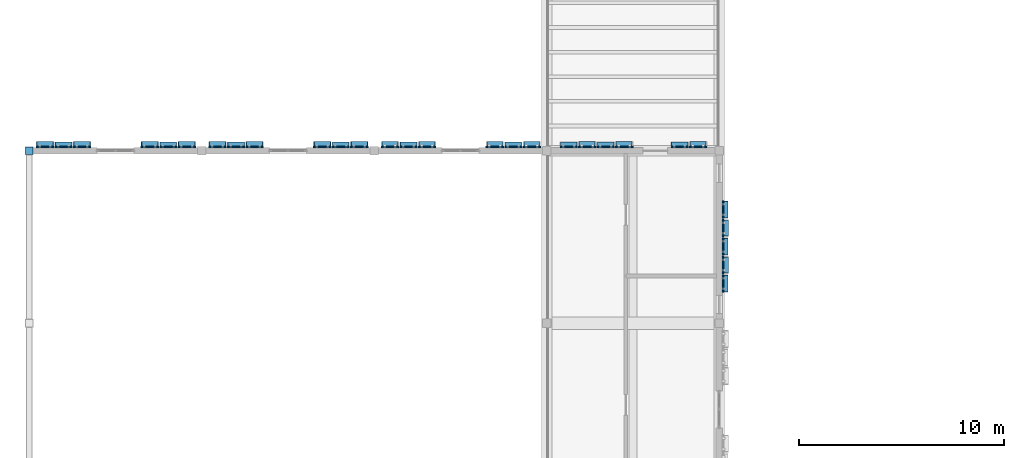
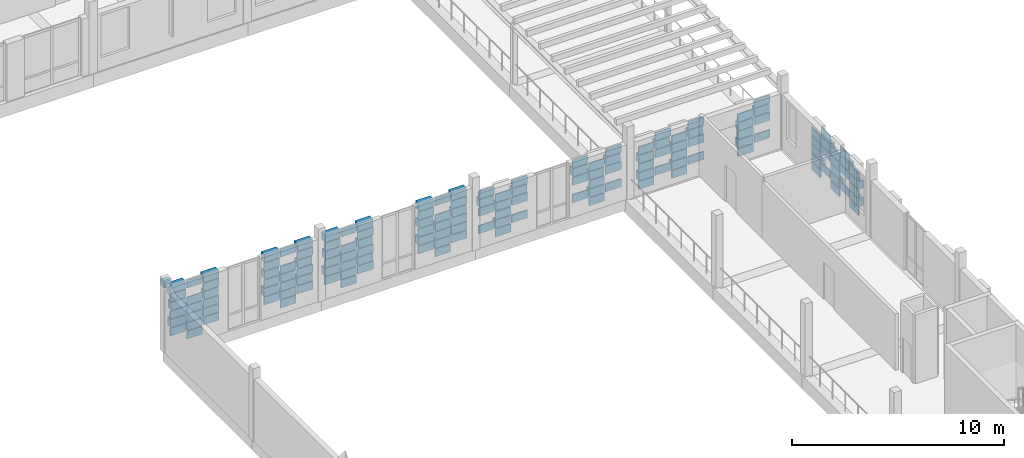
# One storey, part 62 of 99: 149 plates.
"""IFC4 building model written with IfcOpenShell, lengths in metres."""

import ifcopenshell
import ifcopenshell.guid

model = None  # the IFC model being written
_history = None  # IfcOwnerHistory: only IFC2X3 demands one
_inside = {}  # id of a spatial element -> (the spatial element, [elements in it])
_under = {}  # id of a project, library or spatial element -> (it, [spatial elements below it])
_declared = {}  # id of a project -> (the project, [libraries it declares])
_typed = {}  # id of a type object -> (the type object, [elements of that type])
_made_of = {}  # id of a material, layer set ... -> (it, [elements and type objects made of it])


def new_model(schema):
    """Start an empty IFC model of exactly this schema.

    Asked for "IFC4X3", IfcOpenShell would pick the latest addendum, in which some entities
    have other attributes; the version numbers below select the first issue.
    IFC2X3 requires an IfcOwnerHistory on every rooted entity: one is made here for all.
    """
    global model, _history
    if schema == "IFC4X3":
        model = ifcopenshell.file(schema_version=(4, 3, 0, 0))
    else:
        model = ifcopenshell.file(schema=schema)
    _inside.clear()
    _under.clear()
    _declared.clear()
    _typed.clear()
    _made_of.clear()
    _history = None
    if model.schema == "IFC2X3":
        org = make("IfcOrganization", Name="unknown")
        user = make(
            "IfcPersonAndOrganization",
            ThePerson=make("IfcPerson", FamilyName="unknown"),
            TheOrganization=org,
        )
        app = make(
            "IfcApplication",
            ApplicationDeveloper=org,
            Version="unknown",
            ApplicationFullName="unknown",
            ApplicationIdentifier="unknown",
        )
        _history = make(
            "IfcOwnerHistory",
            OwningUser=user,
            OwningApplication=app,
            ChangeAction="ADDED",
            CreationDate=0,
        )
    return model


def make(cls, **values):
    """One entity of the class cls with the attributes given. An attribute that is None is left unset."""
    return model.create_entity(
        cls, **{name: value for name, value in values.items() if value is not None}
    )


def rooted(cls, **values):
    """An entity with a GlobalId (a new one), such as an element, a storey or a relation."""
    return make(cls, GlobalId=ifcopenshell.guid.new(), OwnerHistory=_history, **values)


def si_unit(unit_type, name, prefix=None):
    """IfcSIUnit, for example si_unit("LENGTHUNIT", "METRE", prefix="MILLI")."""
    return make("IfcSIUnit", UnitType=unit_type, Prefix=prefix, Name=name)


def assignment(units):
    """IfcUnitAssignment: the units of a project."""
    return None if units is None else make("IfcUnitAssignment", Units=units)


def point(xyz):
    """IfcCartesianPoint."""
    return None if xyz is None else make("IfcCartesianPoint", Coordinates=xyz)


def direction(xyz):
    """IfcDirection."""
    return None if xyz is None else make("IfcDirection", DirectionRatios=xyz)


def frame(location, z_axis=None, x_axis=None):
    """IfcAxis2Placement3D, a coordinate frame: its origin and axes. An axis left out is left unset."""
    return make(
        "IfcAxis2Placement3D",
        Location=point(location),
        Axis=direction(z_axis),
        RefDirection=direction(x_axis),
    )


def frame_2d(location, x_axis=None):
    """IfcAxis2Placement2D, a coordinate frame in the plane: its origin and x axis."""
    return make(
        "IfcAxis2Placement2D", Location=point(location), RefDirection=direction(x_axis)
    )


def origin():
    """The frame at (0, 0, 0) with its axes left unset."""
    return frame((0.0, 0.0, 0.0))


def origin_2d():
    """The frame at (0, 0) in the plane with its x axis left unset."""
    return frame_2d((0.0, 0.0))


def place(relative_to, where):
    """IfcLocalPlacement: puts the frame where relative to a parent placement (None: the world)."""
    return make(
        "IfcLocalPlacement", PlacementRelTo=relative_to, RelativePlacement=where
    )


def context(
    kind, dimensions, precision=None, world=None, true_north=None, identifier=None
):
    """IfcGeometricRepresentationContext, for example the 3D "Model" context."""
    return make(
        "IfcGeometricRepresentationContext",
        ContextIdentifier=identifier,
        ContextType=kind,
        CoordinateSpaceDimension=dimensions,
        Precision=precision,
        WorldCoordinateSystem=world,
        TrueNorth=true_north,
    )


def subcontext(parent, identifier, kind, view, scale=None):
    """IfcGeometricRepresentationSubContext, for example "Body" below "Model"."""
    return make(
        "IfcGeometricRepresentationSubContext",
        ContextIdentifier=identifier,
        ContextType=kind,
        ParentContext=parent,
        TargetScale=scale,
        TargetView=view,
    )


def project(units=None, contexts=None):
    """IfcProject with its units and contexts."""
    return rooted(
        "IfcProject",
        Name="project",
        RepresentationContexts=contexts,
        UnitsInContext=assignment(units),
    )


def spatial(cls, under=None, at=None, **own):
    """A site, building, storey or space (cls), placed at a placement, below another one or the project."""
    s = rooted(cls, ObjectPlacement=at, **own)
    if under is not None:
        _under.setdefault(under.id(), (under, []))[1].append(s)
    return s


def profile(cls, at=None, kind="AREA", **sizes):
    """A parametric profile (cls). Its sizes go by their IFC names, for example OverallWidth=200.0."""
    return make(cls, ProfileType=kind, Position=at, **sizes)


def rectangle(**sizes):
    """IfcRectangleProfileDef."""
    return profile("IfcRectangleProfileDef", **sizes)


def extrude(swept, where, along, depth):
    """IfcExtrudedAreaSolid: the profile swept, set in the frame where, extruded along a direction by depth."""
    return make(
        "IfcExtrudedAreaSolid",
        SweptArea=swept,
        Position=where,
        ExtrudedDirection=direction(along),
        Depth=depth,
    )


def shape(context_of_items, identifier, shape_type, items):
    """IfcShapeRepresentation: the items that make up one representation, for example the "Body"."""
    return make(
        "IfcShapeRepresentation",
        ContextOfItems=context_of_items,
        RepresentationIdentifier=identifier,
        RepresentationType=shape_type,
        Items=items,
    )


def material(Name=None, Category=None):
    """IfcMaterial."""
    return make("IfcMaterial", Name=Name, Category=Category)


def layer(
    of_material, thickness, ventilated=None, Name=None, Category=None, Priority=None
):
    """IfcMaterialLayer: one layer of a wall or slab, of a material (None: an air gap)."""
    return make(
        "IfcMaterialLayer",
        Material=of_material,
        LayerThickness=thickness,
        IsVentilated=ventilated,
        Name=Name,
        Category=Category,
        Priority=Priority,
    )


def layer_set(layers, Name=None):
    """IfcMaterialLayerSet."""
    return make("IfcMaterialLayerSet", MaterialLayers=layers, LayerSetName=Name)


def made_of(thing, what):
    """Note that an element or type object is made of a material, layer set ...; save() writes the relation."""
    if what is not None:
        _made_of.setdefault(what.id(), (what, []))[1].append(thing)
    return thing


def type_object(cls, material=None, **own):
    """A type object (cls), such as IfcWallType, which elements share."""
    return made_of(rooted(cls, **own), material)


def element(
    cls,
    number,
    at=None,
    inside=None,
    cuts=None,
    type_object=None,
    material=None,
    context=None,
    identifier="Body",
    shape_type=None,
    held_by="IfcProductDefinitionShape",
    body=None,
    shapes=None,
    **own,
):
    """One element of the class cls, such as IfcWall. Its Tag is "e" and its number.

    at: its placement. inside: the storey or other place that contains it. cuts: it is an
    opening in that element (IfcRelVoidsElement). A single representation is given by context,
    identifier, shape_type and body (its items); several are given by shapes. held_by: the class
    of the entity that holds the representations. save() writes the other relations.
    """
    e = rooted(cls, Tag="e%d" % number, ObjectPlacement=at, **own)
    if body is not None:
        shapes = [shape(context, identifier, shape_type, body)]
    if shapes is not None:
        e.Representation = make(held_by, Representations=shapes)
    if inside is not None:
        _inside.setdefault(inside.id(), (inside, []))[1].append(e)
    if cuts is not None:
        rooted(
            "IfcRelVoidsElement", RelatingBuildingElement=cuts, RelatedOpeningElement=e
        )
    if type_object is not None:
        _typed.setdefault(type_object.id(), (type_object, []))[1].append(e)
    return made_of(e, material)


def aggregate(whole, parts):
    """IfcRelAggregates: a whole, such as a stair, and the parts it consists of."""
    return rooted("IfcRelAggregates", RelatingObject=whole, RelatedObjects=parts)


def save(model, path):
    """Write the relations noted so far, then the file.

    IfcRelAggregates (storeys below a building ...), IfcRelContainedInSpatialStructure (elements
    in a storey), IfcRelDefinesByType, IfcRelAssociatesMaterial and IfcRelDeclares: one each for
    every whole, place, type object, material and project.
    """
    for whole, parts in _under.values():
        aggregate(whole, parts)
    for where, things in _inside.values():
        rooted(
            "IfcRelContainedInSpatialStructure",
            RelatedElements=things,
            RelatingStructure=where,
        )
    for kind, things in _typed.values():
        rooted("IfcRelDefinesByType", RelatedObjects=things, RelatingType=kind)
    for what, things in _made_of.values():
        rooted("IfcRelAssociatesMaterial", RelatedObjects=things, RelatingMaterial=what)
    for by, libraries in _declared.values():
        rooted("IfcRelDeclares", RelatingContext=by, RelatedDefinitions=libraries)
    model.write(path)


model = new_model("IFC4")

# Units and contexts
model_context = context("Model", 3, precision=1e-05, world=origin(), true_north=direction((0.0, 1.0)))
body_context = subcontext(model_context, "Body", "Model", "MODEL_VIEW")
ifc_project = project(units=[si_unit("LENGTHUNIT", "METRE"), si_unit("AREAUNIT", "SQUARE_METRE"), si_unit("VOLUMEUNIT", "CUBIC_METRE"), si_unit("PLANEANGLEUNIT", "RADIAN"), si_unit("MASSUNIT", "GRAM", prefix="KILO")], contexts=[model_context])

# Site, building, storey
site_placement = place(None, origin())
site = spatial("IfcSite", under=ifc_project, at=site_placement, CompositionType="ELEMENT")
building_placement = place(site_placement, origin())
building = spatial("IfcBuilding", under=site, at=building_placement, Name="Kahlenmark Community Centre", CompositionType="ELEMENT")
storey_placement = place(building_placement, frame((0.0, 0.0, 5.39990234375)))
storey = spatial("IfcBuildingStorey", under=building, at=storey_placement, Name="L01", CompositionType="ELEMENT", Elevation=5.39990234375)

# Plates
ifc_material_1 = material(Name="Extruded warm terracotta recessed weave tile", Category="masonry")
ifc_layer_1 = layer(ifc_material_1, 0.06005859375)
ifc_layer_set_1 = layer_set([ifc_layer_1], Name="Extruded warm terracotta recessed weave tile")
plate_type_1 = type_object("IfcPlateType", Name="PLT-TC-TC-R10-840X60X450", PredefinedType="SHEET", material=ifc_layer_set_1)
for number, where, z_axis, x_axis, name in (
    (1, (10.77001953125, 76.179931640625, 0.10009765625), (0.0, 0.0, 1.0), (-1.0, 0.0, 0.0), "Basketweave terracotta cassette 0648"),
    (2, (10.77001953125, 76.179931640625, 1.080078125), (0.0, 0.0, 1.0), (-1.0, 0.0, 0.0), "Basketweave terracotta cassette 0650"),
    (3, (10.77001953125, 76.179931640625, 2.06005859375), (0.0, 0.0, 1.0), (-1.0, 0.0, 0.0), "Basketweave terracotta cassette 0652"),
    (4, (10.77001953125, 76.179931640625, 3.0400390625), (0.0, 0.0, 1.0), (-1.0, 0.0, 0.0), "Basketweave terracotta cassette 0654"),
    (5, (5.669921875, 76.179931640625, 0.10009765625), (0.0, 0.0, 1.0), (-1.0, 0.0, 0.0), "Basketweave terracotta cassette 0669"),
    (6, (5.669921875, 76.179931640625, 1.080078125), (0.0, 0.0, 1.0), (-1.0, 0.0, 0.0), "Basketweave terracotta cassette 0671"),
    (7, (5.669921875, 76.179931640625, 2.06005859375), (0.0, 0.0, 1.0), (-1.0, 0.0, 0.0), "Basketweave terracotta cassette 0673"),
    (8, (5.669921875, 76.179931640625, 3.0400390625), (0.0, 0.0, 1.0), (-1.0, 0.0, 0.0), "Basketweave terracotta cassette 0675"),
    (9, (19.169921875, 76.179931640625, 0.10009765625), (0.0, 0.0, 1.0), (-1.0, 0.0, 0.0), "Basketweave terracotta cassette 0690"),
    (10, (19.169921875, 76.179931640625, 1.080078125), (0.0, 0.0, 1.0), (-1.0, 0.0, 0.0), "Basketweave terracotta cassette 0692"),
    (11, (19.169921875, 76.179931640625, 2.06005859375), (0.0, 0.0, 1.0), (-1.0, 0.0, 0.0), "Basketweave terracotta cassette 0694"),
    (12, (19.169921875, 76.179931640625, 3.0400390625), (0.0, 0.0, 1.0), (-1.0, 0.0, 0.0), "Basketweave terracotta cassette 0696"),
    (13, (14.070068359375, 76.179931640625, 0.10009765625), (0.0, 0.0, 1.0), (-1.0, 0.0, 0.0), "Basketweave terracotta cassette 0711"),
    (14, (14.070068359375, 76.179931640625, 1.080078125), (0.0, 0.0, 1.0), (-1.0, 0.0, 0.0), "Basketweave terracotta cassette 0713"),
    (15, (14.070068359375, 76.179931640625, 2.06005859375), (0.0, 0.0, 1.0), (-1.0, 0.0, 0.0), "Basketweave terracotta cassette 0715"),
    (16, (14.070068359375, 76.179931640625, 3.0400390625), (0.0, 0.0, 1.0), (-1.0, 0.0, 0.0), "Basketweave terracotta cassette 0717"),
):
    element("IfcPlate", number, at=place(storey_placement, frame(where, z_axis=z_axis, x_axis=x_axis)), inside=storey, type_object=plate_type_1, Name=name, PredefinedType="SHEET", context=body_context, shape_type="SweptSolid", body=[
        extrude(rectangle(XDim=0.840087890625, YDim=0.06005859375, at=origin_2d()), origin(), (0.0, 0.0, 1.0), 0.449951171875),
    ])
ifc_layer_2 = layer(ifc_material_1, 0.06005859375)
ifc_layer_set_2 = layer_set([ifc_layer_2], Name="Extruded warm terracotta recessed weave tile")
plate_type_2 = type_object("IfcPlateType", Name="PLT-TC-TC-R10-840X60X458", PredefinedType="SHEET", material=ifc_layer_set_2)
for number, where, z_axis, x_axis, name in (
    (17, (27.570068359375, 76.179931640625, 0.10009765625), (0.0, 0.0, 1.0), (-1.0, 0.0, 0.0), "Basketweave terracotta cassette 0731"),
    (18, (27.570068359375, 76.179931640625, 1.09619140625), (0.0, 0.0, 1.0), (-1.0, 0.0, 0.0), "Basketweave terracotta cassette 0733"),
    (19, (27.570068359375, 76.179931640625, 2.092041015625), (0.0, 0.0, 1.0), (-1.0, 0.0, 0.0), "Basketweave terracotta cassette 0735"),
    (20, (22.469970703125, 76.179931640625, 0.10009765625), (0.0, 0.0, 1.0), (-1.0, 0.0, 0.0), "Basketweave terracotta cassette 0749"),
    (21, (22.469970703125, 76.179931640625, 1.09619140625), (0.0, 0.0, 1.0), (-1.0, 0.0, 0.0), "Basketweave terracotta cassette 0751"),
    (22, (22.469970703125, 76.179931640625, 2.092041015625), (0.0, 0.0, 1.0), (-1.0, 0.0, 0.0), "Basketweave terracotta cassette 0753"),
    (23, (35.669921875, 76.179931640625, 0.10009765625), (0.0, 0.0, 1.0), (-1.0, 0.0, 0.0), "Basketweave terracotta cassette 0767"),
    (24, (35.669921875, 76.179931640625, 1.09619140625), (0.0, 0.0, 1.0), (-1.0, 0.0, 0.0), "Basketweave terracotta cassette 0769"),
    (25, (35.669921875, 76.179931640625, 2.092041015625), (0.0, 0.0, 1.0), (-1.0, 0.0, 0.0), "Basketweave terracotta cassette 0771"),
    (26, (32.070068359375, 76.179931640625, 0.10009765625), (0.0, 0.0, 1.0), (-1.0, 0.0, 0.0), "Basketweave terracotta cassette 0779"),
    (27, (32.070068359375, 76.179931640625, 1.09619140625), (0.0, 0.0, 1.0), (-1.0, 0.0, 0.0), "Basketweave terracotta cassette 0781"),
    (28, (32.070068359375, 76.179931640625, 2.092041015625), (0.0, 0.0, 1.0), (-1.0, 0.0, 0.0), "Basketweave terracotta cassette 0783"),
    (29, (30.27001953125, 76.179931640625, 0.10009765625), (0.0, 0.0, 1.0), (-1.0, 0.0, 0.0), "Basketweave terracotta cassette 0791"),
    (30, (30.27001953125, 76.179931640625, 1.09619140625), (0.0, 0.0, 1.0), (-1.0, 0.0, 0.0), "Basketweave terracotta cassette 0793"),
    (31, (30.27001953125, 76.179931640625, 2.092041015625), (0.0, 0.0, 1.0), (-1.0, 0.0, 0.0), "Basketweave terracotta cassette 0795"),
    (32, (37.780029296875, 69.530029296875, 0.10009765625), (0.0, 0.0, 1.0), (0.0, 1.0, 0.0), "Basketweave terracotta cassette 0905"),
    (33, (37.780029296875, 69.530029296875, 1.09619140625), (0.0, 0.0, 1.0), (0.0, 1.0, 0.0), "Basketweave terracotta cassette 0907"),
    (34, (37.780029296875, 69.530029296875, 2.092041015625), (0.0, 0.0, 1.0), (0.0, 1.0, 0.0), "Basketweave terracotta cassette 0909"),
    (35, (37.780029296875, 71.330078125, 0.10009765625), (0.0, 0.0, 1.0), (0.0, 1.0, 0.0), "Basketweave terracotta cassette 0917"),
    (36, (37.780029296875, 71.330078125, 1.09619140625), (0.0, 0.0, 1.0), (0.0, 1.0, 0.0), "Basketweave terracotta cassette 0919"),
    (37, (37.780029296875, 71.330078125, 2.092041015625), (0.0, 0.0, 1.0), (0.0, 1.0, 0.0), "Basketweave terracotta cassette 0921"),
    (38, (37.780029296875, 73.1298828125, 0.10009765625), (0.0, 0.0, 1.0), (0.0, 1.0, 0.0), "Basketweave terracotta cassette 0929"),
    (39, (37.780029296875, 73.1298828125, 1.09619140625), (0.0, 0.0, 1.0), (0.0, 1.0, 0.0), "Basketweave terracotta cassette 0931"),
    (40, (37.780029296875, 73.1298828125, 2.092041015625), (0.0, 0.0, 1.0), (0.0, 1.0, 0.0), "Basketweave terracotta cassette 0933"),
):
    element("IfcPlate", number, at=place(storey_placement, frame(where, z_axis=z_axis, x_axis=x_axis)), inside=storey, type_object=plate_type_2, Name=name, PredefinedType="SHEET", context=body_context, shape_type="SweptSolid", body=[
        extrude(rectangle(XDim=0.840087890625, YDim=0.06005859375, at=origin_2d()), origin(), (0.0, 0.0, 1.0), 0.4580078125),
    ])
ifc_layer_3 = layer(ifc_material_1, 0.06005859375)
ifc_layer_set_3 = layer_set([ifc_layer_3], Name="Extruded warm terracotta recessed weave tile")
plate_type_3 = type_object("IfcPlateType", Name="PLT-TC-TC-R10-860X60X450", PredefinedType="SHEET", material=ifc_layer_set_3)
for number, where, z_axis, x_axis, name in (
    (41, (11.669921875, 76.179931640625, 0.59033203125), (0.0, 0.0, 1.0), (-1.0, 0.0, 0.0), "Basketweave terracotta cassette 0642"),
    (42, (11.669921875, 76.179931640625, 1.5703125), (0.0, 0.0, 1.0), (-1.0, 0.0, 0.0), "Basketweave terracotta cassette 0644"),
    (43, (11.669921875, 76.179931640625, 2.55029296875), (0.0, 0.0, 1.0), (-1.0, 0.0, 0.0), "Basketweave terracotta cassette 0646"),
    (44, (9.8701171875, 76.179931640625, 0.59033203125), (0.0, 0.0, 1.0), (-1.0, 0.0, 0.0), "Basketweave terracotta cassette 0656"),
    (45, (9.8701171875, 76.179931640625, 1.5703125), (0.0, 0.0, 1.0), (-1.0, 0.0, 0.0), "Basketweave terracotta cassette 0658"),
    (46, (9.8701171875, 76.179931640625, 2.55029296875), (0.0, 0.0, 1.0), (-1.0, 0.0, 0.0), "Basketweave terracotta cassette 0660"),
    (47, (6.570068359375, 76.179931640625, 0.59033203125), (0.0, 0.0, 1.0), (-1.0, 0.0, 0.0), "Basketweave terracotta cassette 0663"),
    (48, (6.570068359375, 76.179931640625, 1.5703125), (0.0, 0.0, 1.0), (-1.0, 0.0, 0.0), "Basketweave terracotta cassette 0665"),
    (49, (6.570068359375, 76.179931640625, 2.55029296875), (0.0, 0.0, 1.0), (-1.0, 0.0, 0.0), "Basketweave terracotta cassette 0667"),
    (50, (4.77001953125, 76.179931640625, 0.59033203125), (0.0, 0.0, 1.0), (-1.0, 0.0, 0.0), "Basketweave terracotta cassette 0677"),
    (51, (4.77001953125, 76.179931640625, 1.5703125), (0.0, 0.0, 1.0), (-1.0, 0.0, 0.0), "Basketweave terracotta cassette 0679"),
    (52, (4.77001953125, 76.179931640625, 2.55029296875), (0.0, 0.0, 1.0), (-1.0, 0.0, 0.0), "Basketweave terracotta cassette 0681"),
    (53, (20.070068359375, 76.179931640625, 0.59033203125), (0.0, 0.0, 1.0), (-1.0, 0.0, 0.0), "Basketweave terracotta cassette 0684"),
    (54, (20.070068359375, 76.179931640625, 1.5703125), (0.0, 0.0, 1.0), (-1.0, 0.0, 0.0), "Basketweave terracotta cassette 0686"),
    (55, (20.070068359375, 76.179931640625, 2.55029296875), (0.0, 0.0, 1.0), (-1.0, 0.0, 0.0), "Basketweave terracotta cassette 0688"),
    (56, (18.27001953125, 76.179931640625, 0.59033203125), (0.0, 0.0, 1.0), (-1.0, 0.0, 0.0), "Basketweave terracotta cassette 0698"),
    (57, (18.27001953125, 76.179931640625, 1.5703125), (0.0, 0.0, 1.0), (-1.0, 0.0, 0.0), "Basketweave terracotta cassette 0700"),
    (58, (18.27001953125, 76.179931640625, 2.55029296875), (0.0, 0.0, 1.0), (-1.0, 0.0, 0.0), "Basketweave terracotta cassette 0702"),
    (59, (14.969970703125, 76.179931640625, 0.59033203125), (0.0, 0.0, 1.0), (-1.0, 0.0, 0.0), "Basketweave terracotta cassette 0705"),
    (60, (14.969970703125, 76.179931640625, 1.5703125), (0.0, 0.0, 1.0), (-1.0, 0.0, 0.0), "Basketweave terracotta cassette 0707"),
    (61, (14.969970703125, 76.179931640625, 2.55029296875), (0.0, 0.0, 1.0), (-1.0, 0.0, 0.0), "Basketweave terracotta cassette 0709"),
    (62, (13.169921875, 76.179931640625, 0.59033203125), (0.0, 0.0, 1.0), (-1.0, 0.0, 0.0), "Basketweave terracotta cassette 0719"),
    (63, (13.169921875, 76.179931640625, 1.5703125), (0.0, 0.0, 1.0), (-1.0, 0.0, 0.0), "Basketweave terracotta cassette 0721"),
    (64, (13.169921875, 76.179931640625, 2.55029296875), (0.0, 0.0, 1.0), (-1.0, 0.0, 0.0), "Basketweave terracotta cassette 0723"),
):
    element("IfcPlate", number, at=place(storey_placement, frame(where, z_axis=z_axis, x_axis=x_axis)), inside=storey, type_object=plate_type_3, Name=name, PredefinedType="SHEET", context=body_context, shape_type="SweptSolid", body=[
        extrude(rectangle(XDim=0.860107421875, YDim=0.06005859375, at=origin_2d()), origin(), (0.0, 0.0, 1.0), 0.449951171875),
    ])
ifc_layer_4 = layer(ifc_material_1, 0.06005859375)
ifc_layer_set_4 = layer_set([ifc_layer_4], Name="Extruded warm terracotta recessed weave tile")
plate_type_4 = type_object("IfcPlateType", Name="PLT-TC-TC-R10-860X60X458", PredefinedType="SHEET", material=ifc_layer_set_4)
for number, where, z_axis, x_axis, name in (
    (65, (28.469970703125, 76.179931640625, 0.59814453125), (0.0, 0.0, 1.0), (-1.0, 0.0, 0.0), "Basketweave terracotta cassette 0726"),
    (66, (28.469970703125, 76.179931640625, 1.593994140625), (0.0, 0.0, 1.0), (-1.0, 0.0, 0.0), "Basketweave terracotta cassette 0728"),
    (67, (28.469970703125, 76.179931640625, 2.590087890625), (0.0, 0.0, 1.0), (-1.0, 0.0, 0.0), "Basketweave terracotta cassette 0730"),
    (68, (26.669921875, 76.179931640625, 0.59814453125), (0.0, 0.0, 1.0), (-1.0, 0.0, 0.0), "Basketweave terracotta cassette 0738"),
    (69, (26.669921875, 76.179931640625, 1.593994140625), (0.0, 0.0, 1.0), (-1.0, 0.0, 0.0), "Basketweave terracotta cassette 0740"),
    (70, (26.669921875, 76.179931640625, 2.590087890625), (0.0, 0.0, 1.0), (-1.0, 0.0, 0.0), "Basketweave terracotta cassette 0742"),
    (71, (23.3701171875, 76.179931640625, 0.59814453125), (0.0, 0.0, 1.0), (-1.0, 0.0, 0.0), "Basketweave terracotta cassette 0744"),
    (72, (23.3701171875, 76.179931640625, 1.593994140625), (0.0, 0.0, 1.0), (-1.0, 0.0, 0.0), "Basketweave terracotta cassette 0746"),
    (73, (23.3701171875, 76.179931640625, 2.590087890625), (0.0, 0.0, 1.0), (-1.0, 0.0, 0.0), "Basketweave terracotta cassette 0748"),
    (74, (21.570068359375, 76.179931640625, 0.59814453125), (0.0, 0.0, 1.0), (-1.0, 0.0, 0.0), "Basketweave terracotta cassette 0756"),
    (75, (21.570068359375, 76.179931640625, 1.593994140625), (0.0, 0.0, 1.0), (-1.0, 0.0, 0.0), "Basketweave terracotta cassette 0758"),
    (76, (21.570068359375, 76.179931640625, 2.590087890625), (0.0, 0.0, 1.0), (-1.0, 0.0, 0.0), "Basketweave terracotta cassette 0760"),
    (77, (36.570068359375, 76.179931640625, 0.59814453125), (0.0, 0.0, 1.0), (-1.0, 0.0, 0.0), "Basketweave terracotta cassette 0762"),
    (78, (36.570068359375, 76.179931640625, 1.593994140625), (0.0, 0.0, 1.0), (-1.0, 0.0, 0.0), "Basketweave terracotta cassette 0764"),
    (79, (36.570068359375, 76.179931640625, 2.590087890625), (0.0, 0.0, 1.0), (-1.0, 0.0, 0.0), "Basketweave terracotta cassette 0766"),
    (80, (32.969970703125, 76.179931640625, 0.59814453125), (0.0, 0.0, 1.0), (-1.0, 0.0, 0.0), "Basketweave terracotta cassette 0774"),
    (81, (32.969970703125, 76.179931640625, 1.593994140625), (0.0, 0.0, 1.0), (-1.0, 0.0, 0.0), "Basketweave terracotta cassette 0776"),
    (82, (32.969970703125, 76.179931640625, 2.590087890625), (0.0, 0.0, 1.0), (-1.0, 0.0, 0.0), "Basketweave terracotta cassette 0778"),
    (83, (31.169921875, 76.179931640625, 0.59814453125), (0.0, 0.0, 1.0), (-1.0, 0.0, 0.0), "Basketweave terracotta cassette 0786"),
    (84, (31.169921875, 76.179931640625, 1.593994140625), (0.0, 0.0, 1.0), (-1.0, 0.0, 0.0), "Basketweave terracotta cassette 0788"),
    (85, (31.169921875, 76.179931640625, 2.590087890625), (0.0, 0.0, 1.0), (-1.0, 0.0, 0.0), "Basketweave terracotta cassette 0790"),
    (86, (37.780029296875, 70.429931640625, 0.59814453125), (0.0, 0.0, 1.0), (0.0, 1.0, 0.0), "Basketweave terracotta cassette 0912"),
    (87, (37.780029296875, 70.429931640625, 1.593994140625), (0.0, 0.0, 1.0), (0.0, 1.0, 0.0), "Basketweave terracotta cassette 0914"),
    (88, (37.780029296875, 70.429931640625, 2.590087890625), (0.0, 0.0, 1.0), (0.0, 1.0, 0.0), "Basketweave terracotta cassette 0916"),
    (89, (37.780029296875, 72.22998046875, 0.59814453125), (0.0, 0.0, 1.0), (0.0, 1.0, 0.0), "Basketweave terracotta cassette 0924"),
    (90, (37.780029296875, 72.22998046875, 1.593994140625), (0.0, 0.0, 1.0), (0.0, 1.0, 0.0), "Basketweave terracotta cassette 0926"),
    (91, (37.780029296875, 72.22998046875, 2.590087890625), (0.0, 0.0, 1.0), (0.0, 1.0, 0.0), "Basketweave terracotta cassette 0928"),
):
    element("IfcPlate", number, at=place(storey_placement, frame(where, z_axis=z_axis, x_axis=x_axis)), inside=storey, type_object=plate_type_4, Name=name, PredefinedType="SHEET", context=body_context, shape_type="SweptSolid", body=[
        extrude(rectangle(XDim=0.860107421875, YDim=0.06005859375, at=origin_2d()), origin(), (0.0, 0.0, 1.0), 0.4580078125),
    ])
ifc_material_2 = material(Name="Extruded glazed terracotta weave cassette", Category="masonry")
ifc_layer_5 = layer(ifc_material_2, 0.300048828125)
ifc_layer_set_5 = layer_set([ifc_layer_5], Name="Extruded glazed terracotta weave cassette")
plate_type_5 = type_object("IfcPlateType", Name="PLT-TC-TC-R34-780X300X450", PredefinedType="SHEET", material=ifc_layer_set_5)
for number, where, z_axis, x_axis, name in (
    (92, (11.669921875, 76.300048828125, 2.06005859375), (0.0, 0.0, 1.0), (-1.0, 0.0, 0.0), "Basketweave terracotta cassette 0645"),
    (93, (9.8701171875, 76.300048828125, 2.06005859375), (0.0, 0.0, 1.0), (-1.0, 0.0, 0.0), "Basketweave terracotta cassette 0659"),
    (94, (6.570068359375, 76.300048828125, 2.06005859375), (0.0, 0.0, 1.0), (-1.0, 0.0, 0.0), "Basketweave terracotta cassette 0666"),
    (95, (4.77001953125, 76.300048828125, 2.06005859375), (0.0, 0.0, 1.0), (-1.0, 0.0, 0.0), "Basketweave terracotta cassette 0680"),
    (96, (20.070068359375, 76.300048828125, 2.06005859375), (0.0, 0.0, 1.0), (-1.0, 0.0, 0.0), "Basketweave terracotta cassette 0687"),
    (97, (18.27001953125, 76.300048828125, 2.06005859375), (0.0, 0.0, 1.0), (-1.0, 0.0, 0.0), "Basketweave terracotta cassette 0701"),
    (98, (14.969970703125, 76.300048828125, 2.06005859375), (0.0, 0.0, 1.0), (-1.0, 0.0, 0.0), "Basketweave terracotta cassette 0708"),
    (99, (13.169921875, 76.300048828125, 2.06005859375), (0.0, 0.0, 1.0), (-1.0, 0.0, 0.0), "Basketweave terracotta cassette 0722"),
):
    element("IfcPlate", number, at=place(storey_placement, frame(where, z_axis=z_axis, x_axis=x_axis)), inside=storey, type_object=plate_type_5, Name=name, PredefinedType="SHEET", context=body_context, shape_type="SweptSolid", body=[
        extrude(rectangle(XDim=0.780029296875, YDim=0.300048828125, at=origin_2d()), origin(), (0.0, 0.0, 1.0), 0.449951171875),
    ])
ifc_layer_6 = layer(ifc_material_2, 0.300048828125)
ifc_layer_set_6 = layer_set([ifc_layer_6], Name="Extruded glazed terracotta weave cassette")
plate_type_6 = type_object("IfcPlateType", Name="PLT-TC-TC-R34-780X300X458", PredefinedType="SHEET", material=ifc_layer_set_6)
for number, where, z_axis, x_axis, name in (
    (100, (28.469970703125, 76.300048828125, 2.092041015625), (0.0, 0.0, 1.0), (-1.0, 0.0, 0.0), "Basketweave terracotta cassette 0729"),
    (101, (26.669921875, 76.300048828125, 2.092041015625), (0.0, 0.0, 1.0), (-1.0, 0.0, 0.0), "Basketweave terracotta cassette 0741"),
    (102, (23.3701171875, 76.300048828125, 2.092041015625), (0.0, 0.0, 1.0), (-1.0, 0.0, 0.0), "Basketweave terracotta cassette 0747"),
    (103, (21.570068359375, 76.300048828125, 2.092041015625), (0.0, 0.0, 1.0), (-1.0, 0.0, 0.0), "Basketweave terracotta cassette 0759"),
    (104, (36.570068359375, 76.300048828125, 2.092041015625), (0.0, 0.0, 1.0), (-1.0, 0.0, 0.0), "Basketweave terracotta cassette 0765"),
    (105, (32.969970703125, 76.300048828125, 2.092041015625), (0.0, 0.0, 1.0), (-1.0, 0.0, 0.0), "Basketweave terracotta cassette 0777"),
    (106, (31.169921875, 76.300048828125, 2.092041015625), (0.0, 0.0, 1.0), (-1.0, 0.0, 0.0), "Basketweave terracotta cassette 0789"),
    (107, (37.89990234375, 70.429931640625, 2.092041015625), (0.0, 0.0, 1.0), (0.0, 1.0, 0.0), "Basketweave terracotta cassette 0915"),
    (108, (37.89990234375, 72.22998046875, 2.092041015625), (0.0, 0.0, 1.0), (0.0, 1.0, 0.0), "Basketweave terracotta cassette 0927"),
):
    element("IfcPlate", number, at=place(storey_placement, frame(where, z_axis=z_axis, x_axis=x_axis)), inside=storey, type_object=plate_type_6, Name=name, PredefinedType="SHEET", context=body_context, shape_type="SweptSolid", body=[
        extrude(rectangle(XDim=0.780029296875, YDim=0.300048828125, at=origin_2d()), origin(), (0.0, 0.0, 1.0), 0.4580078125),
    ])
ifc_layer_7 = layer(ifc_material_2, 0.300048828125)
ifc_layer_set_7 = layer_set([ifc_layer_7], Name="Extruded glazed terracotta weave cassette")
plate_type_7 = type_object("IfcPlateType", Name="PLT-TC-TC-R34-820X300X450", PredefinedType="SHEET", material=ifc_layer_set_7)
for number, where, z_axis, x_axis, name in (
    (109, (11.669921875, 76.300048828125, 3.0400390625), (0.0, 0.0, 1.0), (-1.0, 0.0, 0.0), "Basketweave terracotta cassette 0647"),
    (110, (9.8701171875, 76.300048828125, 3.0400390625), (0.0, 0.0, 1.0), (-1.0, 0.0, 0.0), "Basketweave terracotta cassette 0661"),
    (111, (6.570068359375, 76.300048828125, 3.0400390625), (0.0, 0.0, 1.0), (-1.0, 0.0, 0.0), "Basketweave terracotta cassette 0668"),
    (112, (4.77001953125, 76.300048828125, 3.0400390625), (0.0, 0.0, 1.0), (-1.0, 0.0, 0.0), "Basketweave terracotta cassette 0682"),
    (113, (20.070068359375, 76.300048828125, 3.0400390625), (0.0, 0.0, 1.0), (-1.0, 0.0, 0.0), "Basketweave terracotta cassette 0689"),
    (114, (18.27001953125, 76.300048828125, 3.0400390625), (0.0, 0.0, 1.0), (-1.0, 0.0, 0.0), "Basketweave terracotta cassette 0703"),
    (115, (14.969970703125, 76.300048828125, 3.0400390625), (0.0, 0.0, 1.0), (-1.0, 0.0, 0.0), "Basketweave terracotta cassette 0710"),
    (116, (13.169921875, 76.300048828125, 3.0400390625), (0.0, 0.0, 1.0), (-1.0, 0.0, 0.0), "Basketweave terracotta cassette 0724"),
):
    element("IfcPlate", number, at=place(storey_placement, frame(where, z_axis=z_axis, x_axis=x_axis)), inside=storey, type_object=plate_type_7, Name=name, PredefinedType="SHEET", context=body_context, shape_type="SweptSolid", body=[
        extrude(rectangle(XDim=0.820068359375, YDim=0.300048828125, at=origin_2d()), origin(), (0.0, 0.0, 1.0), 0.449951171875),
    ])
ifc_layer_8 = layer(ifc_material_2, 0.300048828125)
ifc_layer_set_8 = layer_set([ifc_layer_8], Name="Extruded glazed terracotta weave cassette")
plate_type_8 = type_object("IfcPlateType", Name="PLT-TC-TC-R34-840X300X450", PredefinedType="SHEET", material=ifc_layer_set_8)
for number, where, z_axis, x_axis, name in (
    (117, (11.669921875, 76.300048828125, 1.080078125), (0.0, 0.0, 1.0), (-1.0, 0.0, 0.0), "Basketweave terracotta cassette 0643"),
    (118, (9.8701171875, 76.300048828125, 1.080078125), (0.0, 0.0, 1.0), (-1.0, 0.0, 0.0), "Basketweave terracotta cassette 0657"),
    (119, (6.570068359375, 76.300048828125, 1.080078125), (0.0, 0.0, 1.0), (-1.0, 0.0, 0.0), "Basketweave terracotta cassette 0664"),
    (120, (4.77001953125, 76.300048828125, 1.080078125), (0.0, 0.0, 1.0), (-1.0, 0.0, 0.0), "Basketweave terracotta cassette 0678"),
    (121, (20.070068359375, 76.300048828125, 1.080078125), (0.0, 0.0, 1.0), (-1.0, 0.0, 0.0), "Basketweave terracotta cassette 0685"),
    (122, (18.27001953125, 76.300048828125, 1.080078125), (0.0, 0.0, 1.0), (-1.0, 0.0, 0.0), "Basketweave terracotta cassette 0699"),
    (123, (14.969970703125, 76.300048828125, 1.080078125), (0.0, 0.0, 1.0), (-1.0, 0.0, 0.0), "Basketweave terracotta cassette 0706"),
    (124, (13.169921875, 76.300048828125, 1.080078125), (0.0, 0.0, 1.0), (-1.0, 0.0, 0.0), "Basketweave terracotta cassette 0720"),
):
    element("IfcPlate", number, at=place(storey_placement, frame(where, z_axis=z_axis, x_axis=x_axis)), inside=storey, type_object=plate_type_8, Name=name, PredefinedType="SHEET", context=body_context, shape_type="SweptSolid", body=[
        extrude(rectangle(XDim=0.840087890625, YDim=0.300048828125, at=origin_2d()), origin(), (0.0, 0.0, 1.0), 0.449951171875),
    ])
ifc_layer_9 = layer(ifc_material_2, 0.280029296875)
ifc_layer_set_9 = layer_set([ifc_layer_9], Name="Extruded glazed terracotta weave cassette")
plate_type_9 = type_object("IfcPlateType", Name="PLT-TC-TC-W30-800X280X450", PredefinedType="SHEET", material=ifc_layer_set_9)
for number, where, z_axis, x_axis, name in (
    (125, (10.77001953125, 76.2900390625, 1.5703125), (0.0, 0.0, 1.0), (-1.0, 0.0, 0.0), "Basketweave terracotta cassette 0651"),
    (126, (5.669921875, 76.2900390625, 1.5703125), (0.0, 0.0, 1.0), (-1.0, 0.0, 0.0), "Basketweave terracotta cassette 0672"),
    (127, (19.169921875, 76.2900390625, 1.5703125), (0.0, 0.0, 1.0), (-1.0, 0.0, 0.0), "Basketweave terracotta cassette 0693"),
    (128, (14.070068359375, 76.2900390625, 1.5703125), (0.0, 0.0, 1.0), (-1.0, 0.0, 0.0), "Basketweave terracotta cassette 0714"),
):
    element("IfcPlate", number, at=place(storey_placement, frame(where, z_axis=z_axis, x_axis=x_axis)), inside=storey, type_object=plate_type_9, Name=name, PredefinedType="SHEET", context=body_context, shape_type="SweptSolid", body=[
        extrude(rectangle(XDim=0.800048828125, YDim=0.280029296875, at=origin_2d()), origin(), (0.0, 0.0, 1.0), 0.449951171875),
    ])
ifc_layer_10 = layer(ifc_material_2, 0.280029296875)
ifc_layer_set_10 = layer_set([ifc_layer_10], Name="Extruded glazed terracotta weave cassette")
plate_type_10 = type_object("IfcPlateType", Name="PLT-TC-TC-W30-800X280X458", PredefinedType="SHEET", material=ifc_layer_set_10)
for number, where, z_axis, x_axis, name in (
    (129, (27.570068359375, 76.2900390625, 1.593994140625), (0.0, 0.0, 1.0), (-1.0, 0.0, 0.0), "Basketweave terracotta cassette 0734"),
    (130, (22.469970703125, 76.2900390625, 1.593994140625), (0.0, 0.0, 1.0), (-1.0, 0.0, 0.0), "Basketweave terracotta cassette 0752"),
    (131, (35.669921875, 76.2900390625, 1.593994140625), (0.0, 0.0, 1.0), (-1.0, 0.0, 0.0), "Basketweave terracotta cassette 0770"),
    (132, (32.070068359375, 76.2900390625, 1.593994140625), (0.0, 0.0, 1.0), (-1.0, 0.0, 0.0), "Basketweave terracotta cassette 0782"),
    (133, (30.27001953125, 76.2900390625, 1.593994140625), (0.0, 0.0, 1.0), (-1.0, 0.0, 0.0), "Basketweave terracotta cassette 0794"),
    (134, (37.889892578125, 69.530029296875, 1.593994140625), (0.0, 0.0, 1.0), (0.0, 1.0, 0.0), "Basketweave terracotta cassette 0908"),
    (135, (37.889892578125, 71.330078125, 1.593994140625), (0.0, 0.0, 1.0), (0.0, 1.0, 0.0), "Basketweave terracotta cassette 0920"),
    (136, (37.889892578125, 73.1298828125, 1.593994140625), (0.0, 0.0, 1.0), (0.0, 1.0, 0.0), "Basketweave terracotta cassette 0932"),
):
    element("IfcPlate", number, at=place(storey_placement, frame(where, z_axis=z_axis, x_axis=x_axis)), inside=storey, type_object=plate_type_10, Name=name, PredefinedType="SHEET", context=body_context, shape_type="SweptSolid", body=[
        extrude(rectangle(XDim=0.800048828125, YDim=0.280029296875, at=origin_2d()), origin(), (0.0, 0.0, 1.0), 0.4580078125),
    ])
ifc_layer_11 = layer(ifc_material_2, 0.280029296875)
ifc_layer_set_11 = layer_set([ifc_layer_11], Name="Extruded glazed terracotta weave cassette")
plate_type_11 = type_object("IfcPlateType", Name="PLT-TC-TC-W30-820X280X450", PredefinedType="SHEET", material=ifc_layer_set_11)
for number, where, z_axis, x_axis, name in (
    (137, (10.77001953125, 76.2900390625, 0.59033203125), (0.0, 0.0, 1.0), (-1.0, 0.0, 0.0), "Basketweave terracotta cassette 0649"),
    (138, (5.669921875, 76.2900390625, 0.59033203125), (0.0, 0.0, 1.0), (-1.0, 0.0, 0.0), "Basketweave terracotta cassette 0670"),
    (139, (19.169921875, 76.2900390625, 0.59033203125), (0.0, 0.0, 1.0), (-1.0, 0.0, 0.0), "Basketweave terracotta cassette 0691"),
    (140, (14.070068359375, 76.2900390625, 0.59033203125), (0.0, 0.0, 1.0), (-1.0, 0.0, 0.0), "Basketweave terracotta cassette 0712"),
):
    element("IfcPlate", number, at=place(storey_placement, frame(where, z_axis=z_axis, x_axis=x_axis)), inside=storey, type_object=plate_type_11, Name=name, PredefinedType="SHEET", context=body_context, shape_type="SweptSolid", body=[
        extrude(rectangle(XDim=0.820068359375, YDim=0.280029296875, at=origin_2d()), origin(), (0.0, 0.0, 1.0), 0.449951171875),
    ])
ifc_layer_12 = layer(ifc_material_2, 0.280029296875)
ifc_layer_set_12 = layer_set([ifc_layer_12], Name="Extruded glazed terracotta weave cassette")
plate_type_12 = type_object("IfcPlateType", Name="PLT-TC-TC-W30-820X280X458", PredefinedType="SHEET", material=ifc_layer_set_12)
for number, where, z_axis, x_axis, name in (
    (141, (27.570068359375, 76.2900390625, 0.59814453125), (0.0, 0.0, 1.0), (-1.0, 0.0, 0.0), "Basketweave terracotta cassette 0732"),
    (142, (22.469970703125, 76.2900390625, 0.59814453125), (0.0, 0.0, 1.0), (-1.0, 0.0, 0.0), "Basketweave terracotta cassette 0750"),
    (143, (35.669921875, 76.2900390625, 0.59814453125), (0.0, 0.0, 1.0), (-1.0, 0.0, 0.0), "Basketweave terracotta cassette 0768"),
    (144, (32.070068359375, 76.2900390625, 0.59814453125), (0.0, 0.0, 1.0), (-1.0, 0.0, 0.0), "Basketweave terracotta cassette 0780"),
    (145, (30.27001953125, 76.2900390625, 0.59814453125), (0.0, 0.0, 1.0), (-1.0, 0.0, 0.0), "Basketweave terracotta cassette 0792"),
    (146, (37.889892578125, 69.530029296875, 0.59814453125), (0.0, 0.0, 1.0), (0.0, 1.0, 0.0), "Basketweave terracotta cassette 0906"),
    (147, (37.889892578125, 71.330078125, 0.59814453125), (0.0, 0.0, 1.0), (0.0, 1.0, 0.0), "Basketweave terracotta cassette 0918"),
    (148, (37.889892578125, 73.1298828125, 0.59814453125), (0.0, 0.0, 1.0), (0.0, 1.0, 0.0), "Basketweave terracotta cassette 0930"),
):
    element("IfcPlate", number, at=place(storey_placement, frame(where, z_axis=z_axis, x_axis=x_axis)), inside=storey, type_object=plate_type_12, Name=name, PredefinedType="SHEET", context=body_context, shape_type="SweptSolid", body=[
        extrude(rectangle(XDim=0.820068359375, YDim=0.280029296875, at=origin_2d()), origin(), (0.0, 0.0, 1.0), 0.4580078125),
    ])
ifc_material_3 = material(Name="Steel S355", Category="steel")
ifc_layer_13 = layer(ifc_material_3, 0.02392578125)
ifc_layer_set_13 = layer_set([ifc_layer_13], Name="Steel S355")
plate_type_13 = type_object("IfcPlateType", Name="PT-NODE-BN-01-35X35X35", PredefinedType="USERDEFINED", material=ifc_layer_set_13)
plate_placement = place(storey_placement, frame((4.0, 76.0, 3.72509765625), z_axis=(0.0, 0.0, 1.0), x_axis=(1.0, 0.0, 0.0)))
element("IfcPlate", 149, at=plate_placement, inside=storey, type_object=plate_type_13, Name="Steel hollow-node cap plate 0340", ObjectType="STIFFENER_PLATE", PredefinedType="USERDEFINED", context=body_context, shape_type="SweptSolid", body=[
    extrude(rectangle(XDim=0.35009765625, YDim=0.35009765625, at=origin_2d()), origin(), (0.0, 0.0, 1.0), 0.35009765625),
])

save(model, "model.ifc")
